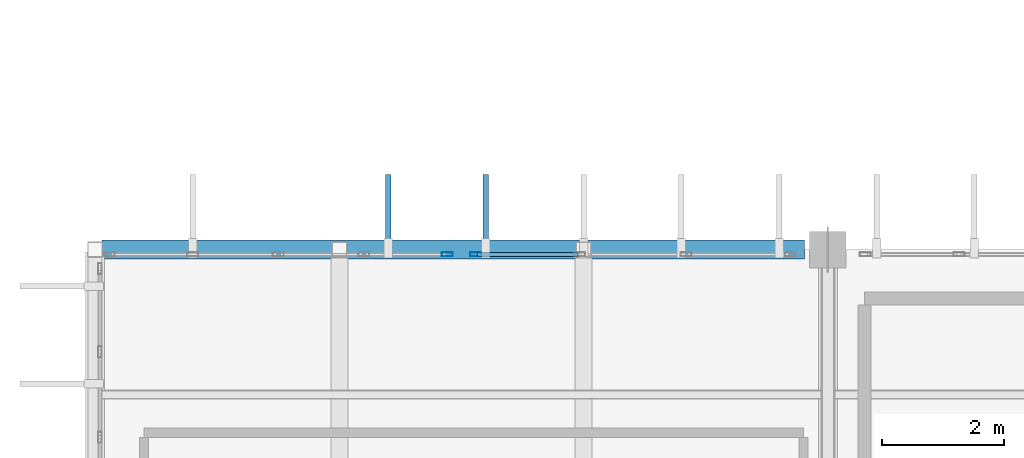
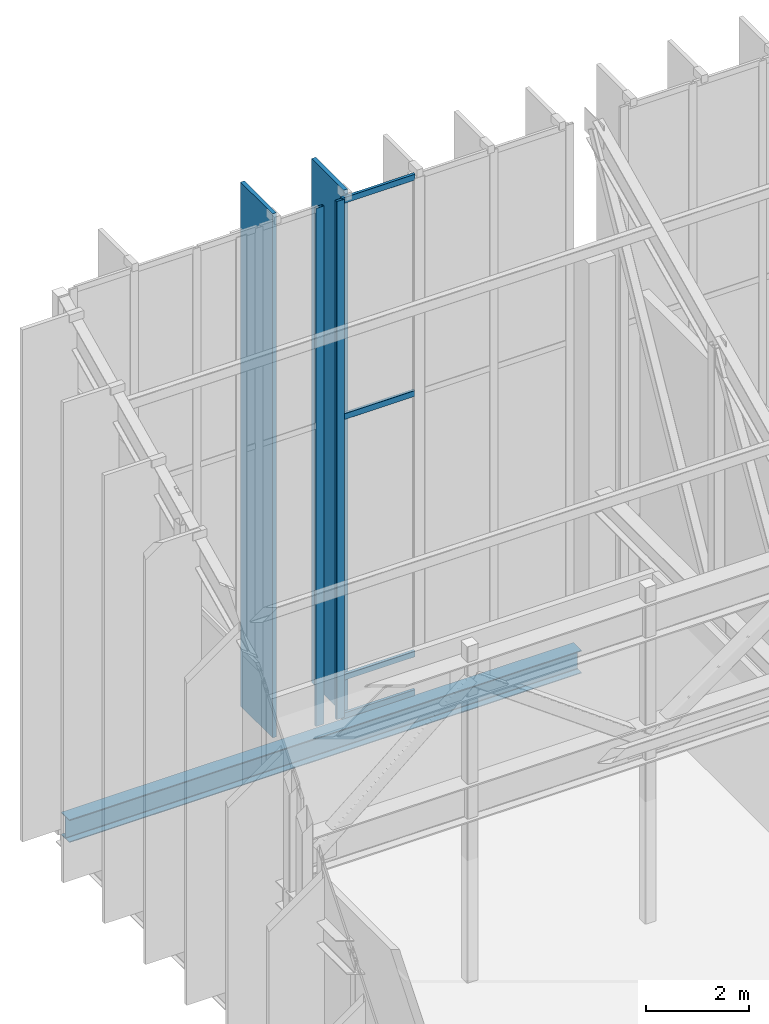
# One storey, part 31 of 68: 8 members, 1 beam, 2 elements without a shape of their own.
"""IFC4 building model written with IfcOpenShell, lengths in metres."""

from ifc_helpers import new_model, si_unit, direction, frame, origin, origin_2d, place, context, subcontext, project, spatial, rectangle, hollow_rectangle, i_section, extrude, material, material_profile, profile_set, type_object, element, aggregate, save


model = new_model("IFC4")

# Units and contexts
model_context = context("Model", 3, precision=1e-05, world=origin(), true_north=direction((0.0, 1.0)))
body_context = subcontext(model_context, "Body", "Model", "MODEL_VIEW")
ifc_project = project(units=[si_unit("LENGTHUNIT", "METRE"), si_unit("AREAUNIT", "SQUARE_METRE"), si_unit("VOLUMEUNIT", "CUBIC_METRE"), si_unit("PLANEANGLEUNIT", "RADIAN"), si_unit("MASSUNIT", "GRAM", prefix="KILO")], contexts=[model_context])

# Site, building, storey
site_placement = place(None, origin())
site = spatial("IfcSite", under=ifc_project, at=site_placement, CompositionType="ELEMENT")
building_placement = place(site_placement, origin())
building = spatial("IfcBuilding", under=site, at=building_placement, Name="Miravela Opera House", CompositionType="ELEMENT")
storey_placement = place(building_placement, frame((0.0, 0.0, 21.760009765625)))
storey = spatial("IfcBuildingStorey", under=building, at=storey_placement, Name="L05", CompositionType="ELEMENT", Elevation=21.760009765625)

# Curtain wall, member
ifc_material_1 = material(Name="Anodised architectural bronze aluminium 6063-T6", Category="aluminium")
curtain_wall_type = type_object("IfcCurtainWallType", Name="ARC-CW-03", PredefinedType="NOTDEFINED", material=ifc_material_1)
curtain_wall_1_placement = place(storey_placement, origin())
curtain_wall_1 = element("IfcCurtainWall", 1, at=curtain_wall_1_placement, inside=storey, type_object=curtain_wall_type, Name="Auditorium North Wrapper Glazing CW-L05-055", PredefinedType="NOTDEFINED")
ifc_material_profile_1 = material_profile(ifc_material_1, hollow_rectangle(XDim=0.06494140625, YDim=0.179931640625, WallThickness=0.00390625, InnerFilletRadius=0.001953125, OuterFilletRadius=0.00390625, at=origin_2d()), Name="CWM-65X180")
ifc_profile_set_1 = profile_set([ifc_material_profile_1])
member_type_1 = type_object("IfcMemberType", Name="ARC-CWM-180", PredefinedType="MULLION", material=ifc_profile_set_1)
member_1_placement = place(storey_placement, frame((20.767578125, 74.919921875, 0.0), z_axis=(0.0, 0.0, 1.0), x_axis=(0.0, 1.0, 0.0)))
member_1 = element("IfcMember", 2, at=member_1_placement, type_object=member_type_1, Name="CW-03 mullion 5", PredefinedType="MULLION", context=body_context, shape_type="SweptSolid", body=[
    extrude(hollow_rectangle(XDim=0.06494140625, YDim=0.179931640625, WallThickness=0.00390625, InnerFilletRadius=0.001953125, OuterFilletRadius=0.00390625, at=origin_2d()), origin(), (0.0, 0.0, 1.0), 12.31005859375),
])
aggregate(curtain_wall_1, [member_1])

# Curtain wall, members
curtain_wall_2_placement = place(storey_placement, origin())
curtain_wall_2 = element("IfcCurtainWall", 3, at=curtain_wall_2_placement, inside=storey, type_object=curtain_wall_type, Name="Auditorium North Wrapper Glazing CW-L05-057", PredefinedType="NOTDEFINED")
member_2_placement = place(storey_placement, frame((21.232421875, 74.919921875, 0.0), z_axis=(0.0, 0.0, 1.0), x_axis=(0.0, 1.0, 0.0)))
member_2 = element("IfcMember", 4, at=member_2_placement, type_object=member_type_1, Name="CW-03 mullion 1", PredefinedType="MULLION", context=body_context, shape_type="SweptSolid", body=[
    extrude(hollow_rectangle(XDim=0.06494140625, YDim=0.179931640625, WallThickness=0.00390625, InnerFilletRadius=0.001953125, OuterFilletRadius=0.00390625, at=origin_2d()), origin(), (0.0, 0.0, 1.0), 12.31005859375),
])
ifc_material_profile_2 = material_profile(ifc_material_1, hollow_rectangle(XDim=0.06494140625, YDim=0.139892578125, WallThickness=0.00390625, InnerFilletRadius=0.001953125, OuterFilletRadius=0.00390625, at=origin_2d()), Name="CWT-65X140")
ifc_profile_set_2 = profile_set([ifc_material_profile_2])
member_type_2 = type_object("IfcMemberType", Name="ARC-CWT-140", PredefinedType="USERDEFINED", material=ifc_profile_set_2)
member_3_placement = place(storey_placement, frame((21.264892578125, 74.919921875, 0.032470703125), z_axis=(1.0, 0.0, 0.0), x_axis=(0.0, 1.0, 0.0)))
member_3 = element("IfcMember", 5, at=member_3_placement, type_object=member_type_2, Name="CW-03 transom 1.1", ObjectType="TRANSOM", PredefinedType="USERDEFINED", context=body_context, shape_type="SweptSolid", body=[
    extrude(hollow_rectangle(XDim=0.06494140625, YDim=0.139892578125, WallThickness=0.00390625, InnerFilletRadius=0.001953125, OuterFilletRadius=0.00390625, at=origin_2d()), origin(), (0.0, 0.0, 1.0), 1.642578125),
])
member_4_placement = place(storey_placement, frame((21.264892578125, 74.919921875, 0.949951171875), z_axis=(1.0, 0.0, 0.0), x_axis=(0.0, 1.0, 0.0)))
member_4 = element("IfcMember", 6, at=member_4_placement, type_object=member_type_2, Name="CW-03 transom 1.2", ObjectType="TRANSOM", PredefinedType="USERDEFINED", context=body_context, shape_type="SweptSolid", body=[
    extrude(hollow_rectangle(XDim=0.06494140625, YDim=0.139892578125, WallThickness=0.00390625, InnerFilletRadius=0.001953125, OuterFilletRadius=0.00390625, at=origin_2d()), origin(), (0.0, 0.0, 1.0), 1.642578125),
])
member_5_placement = place(storey_placement, frame((21.264892578125, 74.919921875, 7.139892578125), z_axis=(1.0, 0.0, 0.0), x_axis=(0.0, 1.0, 0.0)))
member_5 = element("IfcMember", 7, at=member_5_placement, type_object=member_type_2, Name="CW-03 transom 1.3", ObjectType="TRANSOM", PredefinedType="USERDEFINED", context=body_context, shape_type="SweptSolid", body=[
    extrude(hollow_rectangle(XDim=0.06494140625, YDim=0.139892578125, WallThickness=0.00390625, InnerFilletRadius=0.001953125, OuterFilletRadius=0.00390625, at=origin_2d()), origin(), (0.0, 0.0, 1.0), 1.642578125),
])
member_6_placement = place(storey_placement, frame((21.264892578125, 74.919921875, 12.277587890625), z_axis=(1.0, 0.0, 0.0), x_axis=(0.0, 1.0, 0.0)))
member_6 = element("IfcMember", 8, at=member_6_placement, type_object=member_type_2, Name="CW-03 transom 1.4", ObjectType="TRANSOM", PredefinedType="USERDEFINED", context=body_context, shape_type="SweptSolid", body=[
    extrude(hollow_rectangle(XDim=0.06494140625, YDim=0.139892578125, WallThickness=0.00390625, InnerFilletRadius=0.001953125, OuterFilletRadius=0.00390625, at=origin_2d()), origin(), (0.0, 0.0, 1.0), 1.642578125),
])
aggregate(curtain_wall_2, [member_2, member_3, member_4, member_5, member_6])

# Members
ifc_material_profile_3 = material_profile(ifc_material_1, rectangle(XDim=0.090087890625, YDim=1.25, at=origin_2d()), Name="FIN-1250X90")
ifc_profile_set_3 = profile_set([ifc_material_profile_3])
member_type_3 = type_object("IfcMemberType", Name="ARC-FIN-1250", PredefinedType="USERDEFINED", material=ifc_profile_set_3)
for number, where, z_axis, x_axis, name in (
    (9, (19.800048828125, 75.60498046875, 0.0), (0.0, 0.0, 1.0), (1.0, 0.0, 0.0), "Auditorium Wrapper Bronze Solar Fin FIN-L05-NORTH-0167"),
    (10, (21.39990234375, 75.60498046875, 0.0), (0.0, 0.0, 1.0), (1.0, 0.0, 0.0), "Auditorium Wrapper Bronze Solar Fin FIN-L05-NORTH-0169"),
):
    element("IfcMember", number, at=place(storey_placement, frame(where, z_axis=z_axis, x_axis=x_axis)), inside=storey, type_object=member_type_3, Name=name, ObjectType="FIN", PredefinedType="USERDEFINED", context=body_context, shape_type="SweptSolid", body=[
        extrude(rectangle(XDim=0.090087890625, YDim=1.25, at=origin_2d()), origin(), (0.0, 0.0, 1.0), 12.449951171875),
    ])

# Beam
ifc_material_2 = material(Name="Structural steel ASTM A992 Gr. 50", Category="steel")
ifc_material_profile_4 = material_profile(ifc_material_2, i_section(OverallWidth=0.31201171875, OverallDepth=0.54296875, WebThickness=0.0126953125, FlangeThickness=0.020263671875, FilletRadius=0.01611328125, at=origin_2d()), Name="W530X150")
ifc_profile_set_4 = profile_set([ifc_material_profile_4])
beam_type = type_object("IfcBeamType", Name="STR-BM-W530X150", PredefinedType="BEAM", material=ifc_profile_set_4)
beam_placement = place(storey_placement, frame((15.110107421875, 75.0, -0.511474609375), z_axis=(1.0, 0.0, 0.0), x_axis=(0.0, 1.0, 0.0)))
element("IfcBeam", 11, at=beam_placement, inside=storey, type_object=beam_type, Name="Cantilever Chord L05 T5", PredefinedType="BEAM", context=body_context, shape_type="SweptSolid", body=[
    extrude(i_section(OverallWidth=0.31201171875, OverallDepth=0.54296875, WebThickness=0.0126953125, FlangeThickness=0.020263671875, FilletRadius=0.01611328125, at=origin_2d()), origin(), (0.0, 0.0, 1.0), 11.510009765625),
])

save(model, "model.ifc")
